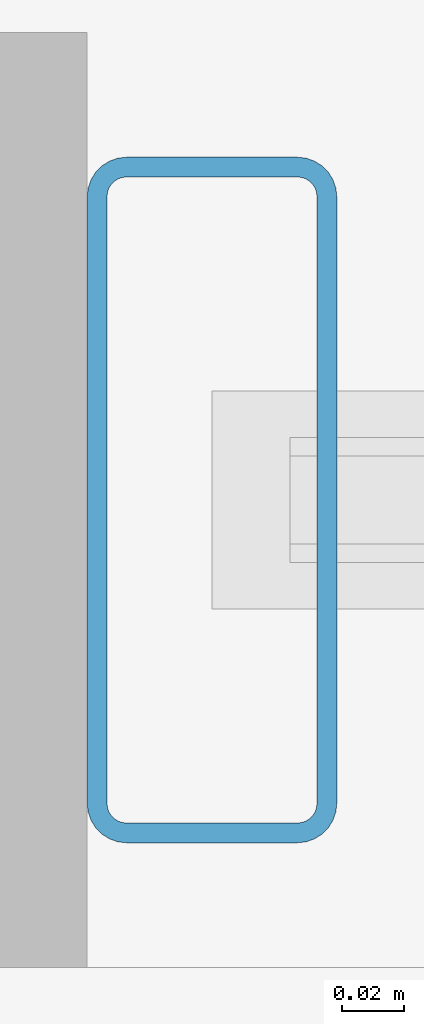
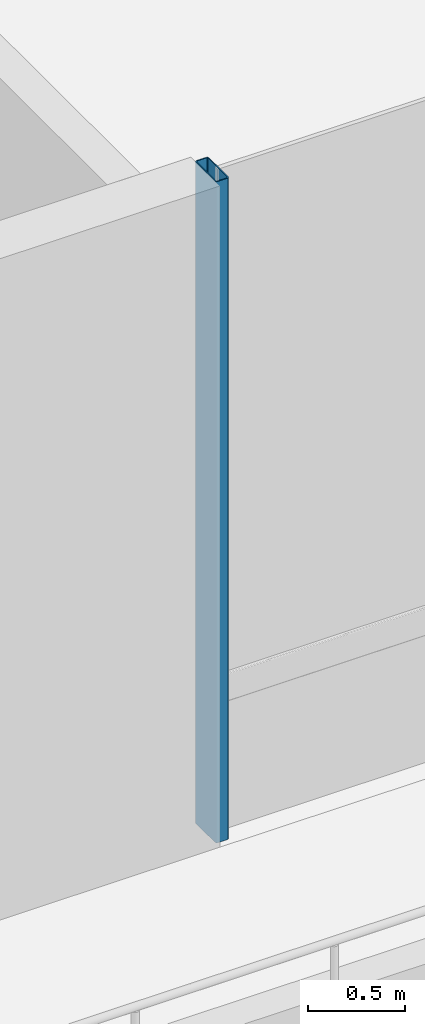
# One storey, part 8 of 40: 1 member, 1 element without a shape of its own.
"""IFC4 building model written with IfcOpenShell, lengths in metres."""

from ifc_helpers import new_model, si_unit, direction, frame, origin, origin_2d, place, context, subcontext, project, spatial, hollow_rectangle, extrude, material, layer, layer_set, material_profile, profile_set, type_object, element, aggregate, save


model = new_model("IFC4")

# Units and contexts
model_context = context("Model", 3, precision=1e-05, world=origin(), true_north=direction((0.0, 1.0)))
body_context = subcontext(model_context, "Body", "Model", "MODEL_VIEW")
ifc_project = project(units=[si_unit("LENGTHUNIT", "METRE"), si_unit("AREAUNIT", "SQUARE_METRE"), si_unit("VOLUMEUNIT", "CUBIC_METRE"), si_unit("PLANEANGLEUNIT", "RADIAN"), si_unit("MASSUNIT", "GRAM", prefix="KILO")], contexts=[model_context])

# Site, building, storey
site_placement = place(None, origin())
site = spatial("IfcSite", under=ifc_project, at=site_placement, CompositionType="ELEMENT")
building_placement = place(site_placement, origin())
building = spatial("IfcBuilding", under=site, at=building_placement, Name="Korimba Cascade Residences", CompositionType="ELEMENT")
storey_placement = place(building_placement, frame((0.0, 0.0, 14.5)))
storey = spatial("IfcBuildingStorey", under=building, at=storey_placement, Name="L03", CompositionType="ELEMENT", Elevation=14.5)

# Curtain wall, member
ifc_material_1 = material(Name="Anodised Aluminium Curtain Wall Framing", Category="aluminium")
ifc_layer = layer(ifc_material_1, 0.179931640625)
ifc_layer_set = layer_set([ifc_layer], Name="Anodised Aluminium Curtain Wall Framing")
curtain_wall_type = type_object("IfcCurtainWallType", Name="CW-POD-SYS1", PredefinedType="NOTDEFINED", material=ifc_layer_set)
curtain_wall_placement = place(storey_placement, origin())
curtain_wall = element("IfcCurtainWall", 1, at=curtain_wall_placement, inside=storey, type_object=curtain_wall_type, Name="L03 Curtain Wall CW-L03-POD-S", PredefinedType="NOTDEFINED")
ifc_material_2 = material(Name="Anodised Aluminium Mullion", Category="aluminium")
ifc_material_profile = material_profile(ifc_material_2, hollow_rectangle(XDim=0.080078125, YDim=0.219970703125, WallThickness=0.00634765625, InnerFilletRadius=0.00634765625, OuterFilletRadius=0.0126953125, at=origin_2d()), Name="Anodised Aluminium Mullion")
ifc_profile_set = profile_set([ifc_material_profile], Name="Anodised Aluminium Mullion")
member_type = type_object("IfcMemberType", Name="CWM-MUL-220", PredefinedType="MULLION", material=ifc_profile_set)
member_placement = place(storey_placement, frame((88.0400390625, -17.85009765625, 0.0), z_axis=(0.0, 0.0, 1.0), x_axis=(1.0, 0.0, 0.0)))
member = element("IfcMember", 2, at=member_placement, type_object=member_type, Name="CW-L03-POD-S Mullion 1", PredefinedType="MULLION", context=body_context, shape_type="SweptSolid", body=[
    extrude(hollow_rectangle(XDim=0.080078125, YDim=0.219970703125, WallThickness=0.00634765625, InnerFilletRadius=0.00634765625, OuterFilletRadius=0.0126953125, at=origin_2d()), origin(), (0.0, 0.0, 1.0), 4.179931640625),
])
aggregate(curtain_wall, [member])

save(model, "model.ifc")
